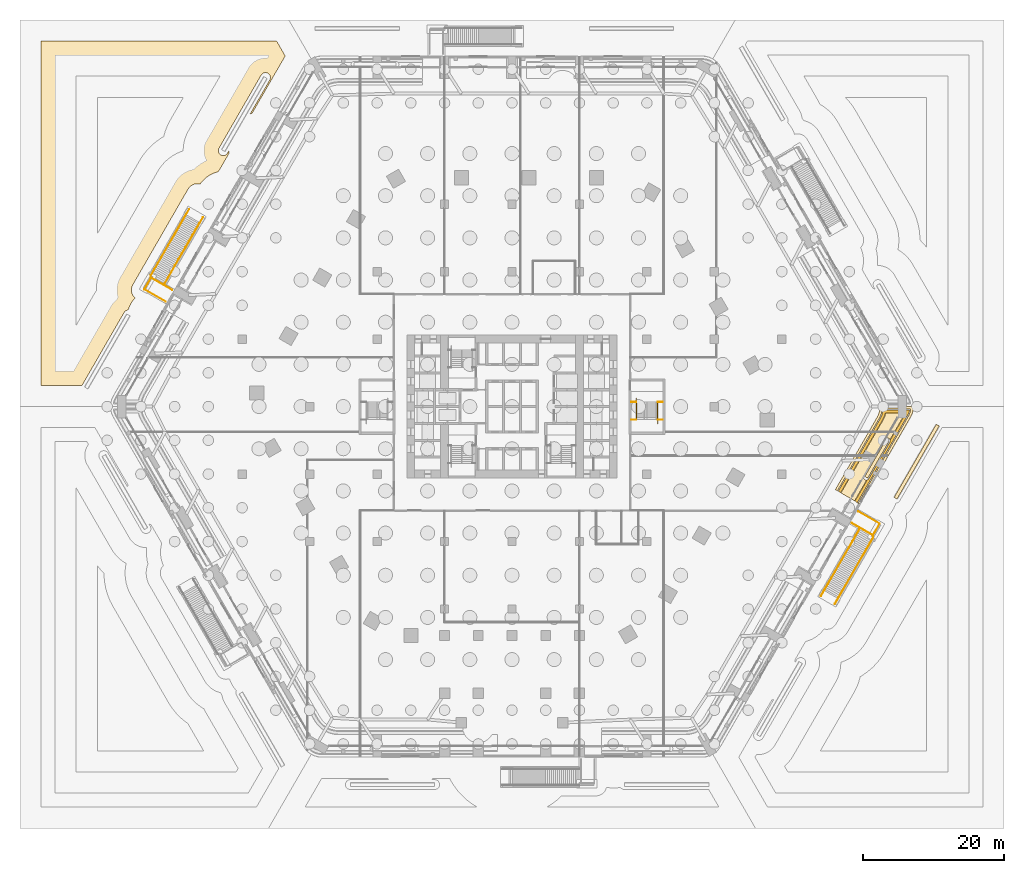
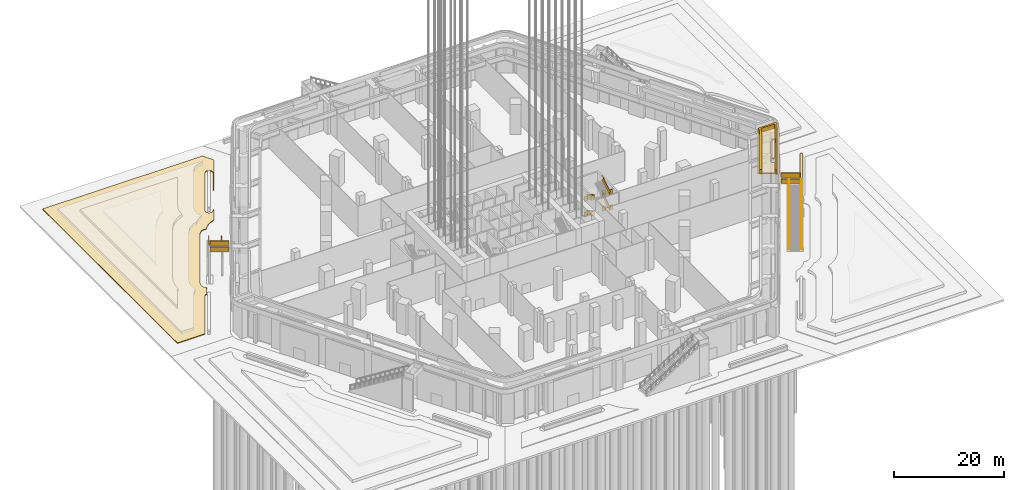
# One storey, part 65 of 68: 8 railings, 6 coverings.
"""IFC4 building model written with IfcOpenShell, lengths in metres."""

from ifc_helpers import new_model, si_unit, direction, frame, frame_2d, origin, origin_2d, place, context, subcontext, project, spatial, polyline, rectangle, circle, outline, extrude, material, layer, layer_set, type_object, element, save


model = new_model("IFC4")

# Units and contexts
model_context = context("Model", 3, precision=1e-05, world=origin(), true_north=direction((0.0, 1.0)))
body_context = subcontext(model_context, "Body", "Model", "MODEL_VIEW")
ifc_project = project(units=[si_unit("LENGTHUNIT", "METRE"), si_unit("AREAUNIT", "SQUARE_METRE"), si_unit("VOLUMEUNIT", "CUBIC_METRE"), si_unit("PLANEANGLEUNIT", "RADIAN"), si_unit("MASSUNIT", "GRAM", prefix="KILO")], contexts=[model_context])

# Site, building, storey
site_placement = place(None, origin())
site = spatial("IfcSite", under=ifc_project, at=site_placement, CompositionType="ELEMENT")
building_placement = place(site_placement, origin())
building = spatial("IfcBuilding", under=site, at=building_placement, Name="Kolab Exchange Tower", CompositionType="ELEMENT")
storey_placement = place(building_placement, origin())
storey = spatial("IfcBuildingStorey", under=building, at=storey_placement, Name="L00", CompositionType="ELEMENT", Elevation=0.0)

# Railings
ifc_material_1 = material(Name="Stainless steel 316", Category="steel")
railing_type_1 = type_object("IfcRailingType", Name="GUARD 1100", PredefinedType="GUARDRAIL", material=ifc_material_1)
railing_1_placement = place(storey_placement, frame((16.949951171875, 0.64990234375, 0.0)))
element("IfcRailing", 1, at=railing_1_placement, inside=storey, type_object=railing_type_1, Name="Guard ST4", PredefinedType="GUARDRAIL", context=body_context, shape_type="SweptSolid", body=[
    extrude(rectangle(XDim=0.05, YDim=0.05, at=origin_2d()), frame((0.0, 0.0, 1.0751953125), z_axis=(1.0, 0.0, 0.0), x_axis=(0.0, 1.0, 0.0)), (0.0, 0.0, 1.0), 0.739990234375),
    extrude(rectangle(XDim=0.012, YDim=1.05009765625, at=frame_2d((0.0, 0.525146484375))), frame((0.0, 0.0, 0.0), z_axis=(1.0, 0.0, 0.0), x_axis=(0.0, 1.0, 0.0)), (0.0, 0.0, 1.0), 0.739990234375),
    extrude(rectangle(XDim=0.05, YDim=0.05, at=origin_2d()), frame((3.760009765625, 0.0, 1.0751953125), z_axis=(1.0, 0.0, 0.0), x_axis=(0.0, 1.0, 0.0)), (0.0, 0.0, 1.0), 0.739990234375),
    extrude(rectangle(XDim=0.012, YDim=1.05009765625, at=frame_2d((0.0, 0.525146484375))), frame((3.760009765625, 0.0, 0.0), z_axis=(1.0, 0.0, 0.0), x_axis=(0.0, 1.0, 0.0)), (0.0, 0.0, 1.0), 0.739990234375),
    extrude(rectangle(XDim=0.05, YDim=0.05, at=origin_2d()), frame((0.0, -2.52001953125, 2.8251953125), z_axis=(1.0, 0.0, 0.0), x_axis=(0.0, 1.0, 0.0)), (0.0, 0.0, 1.0), 0.739990234375),
    extrude(rectangle(XDim=0.012, YDim=1.05009765625, at=frame_2d((0.0, 0.525146484375))), frame((0.0, -2.52001953125, 1.75), z_axis=(1.0, 0.0, 0.0), x_axis=(0.0, 1.0, 0.0)), (0.0, 0.0, 1.0), 0.739990234375),
    extrude(rectangle(XDim=0.05, YDim=0.05, at=origin_2d()), frame((3.760009765625, -2.52001953125, 2.8251953125), z_axis=(1.0, 0.0, 0.0), x_axis=(0.0, 1.0, 0.0)), (0.0, 0.0, 1.0), 0.739990234375),
    extrude(rectangle(XDim=0.012, YDim=1.05009765625, at=frame_2d((0.0, 0.525146484375))), frame((3.760009765625, -2.52001953125, 1.75), z_axis=(1.0, 0.0, 0.0), x_axis=(0.0, 1.0, 0.0)), (0.0, 0.0, 1.0), 0.739990234375),
    extrude(rectangle(XDim=0.05, YDim=0.05, at=origin_2d()), frame((0.0, 0.0, 4.5751953125), z_axis=(1.0, 0.0, 0.0), x_axis=(0.0, 1.0, 0.0)), (0.0, 0.0, 1.0), 0.739990234375),
    extrude(rectangle(XDim=0.012, YDim=1.05009765625, at=frame_2d((0.0, 0.525146484375))), frame((0.0, 0.0, 3.5), z_axis=(1.0, 0.0, 0.0), x_axis=(0.0, 1.0, 0.0)), (0.0, 0.0, 1.0), 0.739990234375),
    extrude(rectangle(XDim=0.05, YDim=0.05, at=origin_2d()), frame((3.760009765625, 0.0, 4.5751953125), z_axis=(1.0, 0.0, 0.0), x_axis=(0.0, 1.0, 0.0)), (0.0, 0.0, 1.0), 0.739990234375),
    extrude(rectangle(XDim=0.012, YDim=1.05009765625, at=frame_2d((0.0, 0.525146484375))), frame((3.760009765625, 0.0, 3.5), z_axis=(1.0, 0.0, 0.0), x_axis=(0.0, 1.0, 0.0)), (0.0, 0.0, 1.0), 0.739990234375),
    extrude(rectangle(XDim=0.05, YDim=0.05, at=origin_2d()), frame((0.0, -2.52001953125, 6.3251953125), z_axis=(1.0, 0.0, 0.0), x_axis=(0.0, 1.0, 0.0)), (0.0, 0.0, 1.0), 0.739990234375),
    extrude(rectangle(XDim=0.012, YDim=1.05009765625, at=frame_2d((0.0, 0.525146484375))), frame((0.0, -2.52001953125, 5.25), z_axis=(1.0, 0.0, 0.0), x_axis=(0.0, 1.0, 0.0)), (0.0, 0.0, 1.0), 0.739990234375),
    extrude(rectangle(XDim=0.05, YDim=0.05, at=origin_2d()), frame((3.760009765625, -2.52001953125, 6.3251953125), z_axis=(1.0, 0.0, 0.0), x_axis=(0.0, 1.0, 0.0)), (0.0, 0.0, 1.0), 0.739990234375),
    extrude(rectangle(XDim=0.012, YDim=1.05009765625, at=frame_2d((0.0, 0.525146484375))), frame((3.760009765625, -2.52001953125, 5.25), z_axis=(1.0, 0.0, 0.0), x_axis=(0.0, 1.0, 0.0)), (0.0, 0.0, 1.0), 0.739990234375),
])
railing_2_placement = place(storey_placement, frame((17.68994140625, 0.64990234375, 0.175048828125)))
element("IfcRailing", 2, at=railing_2_placement, inside=storey, type_object=railing_type_1, Name="Handrail guard ST4", PredefinedType="GUARDRAIL", context=body_context, shape_type="SweptSolid", body=[
    extrude(rectangle(XDim=0.05, YDim=0.05, at=origin_2d()), frame((0.0, 0.0, 1.0751953125), z_axis=(0.0, -0.848007534815, 0.529984170421), x_axis=(1.0, 0.0, 0.0)), (0.0, 0.0, 1.0), 2.9716796875),
    extrude(rectangle(XDim=0.012, YDim=1.05009765625, at=frame_2d((0.0, 0.525146484375))), frame((0.0, 0.0, 0.0), z_axis=(0.0, -0.848007534815, 0.529984170421), x_axis=(1.0, 0.0, 0.0)), (0.0, 0.0, 1.0), 2.9716796875),
    extrude(rectangle(XDim=0.05, YDim=0.05, at=origin_2d()), frame((3.02001953125, -2.52001953125, 2.8251953125), z_axis=(0.0, 0.848007534815, 0.529984170421), x_axis=(-1.0, 0.0, 0.0)), (0.0, 0.0, 1.0), 2.9716796875),
    extrude(rectangle(XDim=0.012, YDim=1.05009765625, at=frame_2d((0.0, 0.525146484375))), frame((3.02001953125, -2.52001953125, 1.75), z_axis=(0.0, 0.848007534815, 0.529984170421), x_axis=(-1.0, 0.0, 0.0)), (0.0, 0.0, 1.0), 2.9716796875),
    extrude(rectangle(XDim=0.05, YDim=0.05, at=origin_2d()), frame((0.0, 0.0, 4.5751953125), z_axis=(0.0, -0.848007534815, 0.529984170421), x_axis=(1.0, 0.0, 0.0)), (0.0, 0.0, 1.0), 2.9716796875),
    extrude(rectangle(XDim=0.012, YDim=1.05009765625, at=frame_2d((0.0, 0.525146484375))), frame((0.0, 0.0, 3.5), z_axis=(0.0, -0.848007534815, 0.529984170421), x_axis=(1.0, 0.0, 0.0)), (0.0, 0.0, 1.0), 2.9716796875),
    extrude(rectangle(XDim=0.05, YDim=0.05, at=origin_2d()), frame((3.02001953125, -2.52001953125, 6.3251953125), z_axis=(0.0, 0.848007534815, 0.529984170421), x_axis=(-1.0, 0.0, 0.0)), (0.0, 0.0, 1.0), 2.9716796875),
    extrude(rectangle(XDim=0.012, YDim=1.05009765625, at=frame_2d((0.0, 0.525146484375))), frame((3.02001953125, -2.52001953125, 5.25), z_axis=(0.0, 0.848007534815, 0.529984170421), x_axis=(-1.0, 0.0, 0.0)), (0.0, 0.0, 1.0), 2.9716796875),
])
ifc_material_2 = material(Name="Steel S235", Category="steel")
railing_type_2 = type_object("IfcRailingType", Name="GUARD 1100 GLASS BALUSTRADE AND STEEL TOP RAIL", PredefinedType="GUARDRAIL", material=ifc_material_2)
railing_3_placement = place(storey_placement, frame((43.95751953125, -26.94921875, 0.175048828125)))
element("IfcRailing", 3, at=railing_3_placement, inside=storey, type_object=railing_type_2, Name="Stair guard", PredefinedType="GUARDRAIL", context=body_context, shape_type="SweptSolid", body=[
    extrude(circle(Radius=0.02490234375, at=origin_2d()), frame((0.0, 0.0, 1.0751953125), z_axis=(0.424002601173, 0.734382970686, 0.530003251466), x_axis=(-0.866022138099, 0.500005656291, 0.0)), (0.0, 0.0, 1.0), 12.877197265625),
    extrude(circle(Radius=0.02001953125, at=origin_2d()), origin(), (0.0, 0.0, 1.0), 1.050048828125),
    extrude(circle(Radius=0.02001953125, at=origin_2d()), frame((0.496337890625, 0.859619140625, 0.620361328125)), (0.0, 0.0, 1.0), 1.050048828125),
    extrude(circle(Radius=0.02001953125, at=origin_2d()), frame((0.99267578125, 1.719482421875, 1.240966796875)), (0.0, 0.0, 1.0), 1.050048828125),
    extrude(circle(Radius=0.02001953125, at=origin_2d()), frame((1.489013671875, 2.5791015625, 1.861328125)), (0.0, 0.0, 1.0), 1.050048828125),
    extrude(circle(Radius=0.02001953125, at=origin_2d()), frame((1.9853515625, 3.438720703125, 2.481689453125)), (0.0, 0.0, 1.0), 1.050048828125),
    extrude(circle(Radius=0.02001953125, at=origin_2d()), frame((2.481689453125, 4.298583984375, 3.102294921875)), (0.0, 0.0, 1.0), 1.050048828125),
    extrude(circle(Radius=0.02001953125, at=origin_2d()), frame((2.978271484375, 5.158203125, 3.72265625)), (0.0, 0.0, 1.0), 1.050048828125),
    extrude(circle(Radius=0.02001953125, at=origin_2d()), frame((3.474609375, 6.01806640625, 4.34326171875)), (0.0, 0.0, 1.0), 1.050048828125),
    extrude(circle(Radius=0.02001953125, at=origin_2d()), frame((3.970947265625, 6.877685546875, 4.963623046875)), (0.0, 0.0, 1.0), 1.050048828125),
    extrude(circle(Radius=0.02001953125, at=origin_2d()), frame((4.46728515625, 7.7373046875, 5.583984375)), (0.0, 0.0, 1.0), 1.050048828125),
    extrude(circle(Radius=0.02001953125, at=origin_2d()), frame((4.963623046875, 8.59716796875, 6.20458984375)), (0.0, 0.0, 1.0), 1.050048828125),
    extrude(circle(Radius=0.02001953125, at=origin_2d()), frame((5.4599609375, 9.456787109375, 6.824951171875)), (0.0, 0.0, 1.0), 1.050048828125),
])
railing_4_placement = place(storey_placement, frame((45.93212890625, -28.08935546875, 0.175048828125)))
element("IfcRailing", 4, at=railing_4_placement, inside=storey, type_object=railing_type_2, Name="Stair guard", PredefinedType="GUARDRAIL", context=body_context, shape_type="SweptSolid", body=[
    extrude(circle(Radius=0.02490234375, at=origin_2d()), frame((0.0, 0.0, 1.0751953125), z_axis=(0.423996697712, 0.73439170464, 0.52999587214), x_axis=(-0.866027727466, 0.499995975244, 0.0)), (0.0, 0.0, 1.0), 12.87744140625),
    extrude(circle(Radius=0.02001953125, at=origin_2d()), origin(), (0.0, 0.0, 1.0), 1.050048828125),
    extrude(circle(Radius=0.02001953125, at=origin_2d()), frame((0.496337890625, 0.859619140625, 0.620361328125)), (0.0, 0.0, 1.0), 1.050048828125),
    extrude(circle(Radius=0.02001953125, at=origin_2d()), frame((0.99267578125, 1.719482421875, 1.240966796875)), (0.0, 0.0, 1.0), 1.050048828125),
    extrude(circle(Radius=0.02001953125, at=origin_2d()), frame((1.489013671875, 2.5791015625, 1.861328125)), (0.0, 0.0, 1.0), 1.050048828125),
    extrude(circle(Radius=0.02001953125, at=origin_2d()), frame((1.9853515625, 3.43896484375, 2.481689453125)), (0.0, 0.0, 1.0), 1.050048828125),
    extrude(circle(Radius=0.02001953125, at=origin_2d()), frame((2.481689453125, 4.298583984375, 3.102294921875)), (0.0, 0.0, 1.0), 1.050048828125),
    extrude(circle(Radius=0.02001953125, at=origin_2d()), frame((2.978271484375, 5.158447265625, 3.72265625)), (0.0, 0.0, 1.0), 1.050048828125),
    extrude(circle(Radius=0.02001953125, at=origin_2d()), frame((3.474609375, 6.01806640625, 4.34326171875)), (0.0, 0.0, 1.0), 1.050048828125),
    extrude(circle(Radius=0.02001953125, at=origin_2d()), frame((3.970947265625, 6.8779296875, 4.963623046875)), (0.0, 0.0, 1.0), 1.050048828125),
    extrude(circle(Radius=0.02001953125, at=origin_2d()), frame((4.46728515625, 7.737548828125, 5.583984375)), (0.0, 0.0, 1.0), 1.050048828125),
    extrude(circle(Radius=0.02001953125, at=origin_2d()), frame((4.963623046875, 8.597412109375, 6.20458984375)), (0.0, 0.0, 1.0), 1.050048828125),
    extrude(circle(Radius=0.02001953125, at=origin_2d()), frame((5.4599609375, 9.45703125, 6.824951171875)), (0.0, 0.0, 1.0), 1.050048828125),
])
railing_5_placement = place(storey_placement, frame((49.271484375, -14.92529296875, 7.0)))
element("IfcRailing", 5, at=railing_5_placement, inside=storey, type_object=railing_type_2, Name="Landing guard", PredefinedType="GUARDRAIL", context=body_context, shape_type="SweptSolid", body=[
    extrude(rectangle(XDim=0.05, YDim=0.05, at=origin_2d()), frame((0.0, 0.0, 1.0751953125), z_axis=(0.866019471182, -0.500010275428, 0.0), x_axis=(0.500010275428, 0.866019471182, 0.0)), (0.0, 0.0, 1.0), 3.5),
    extrude(rectangle(XDim=0.012, YDim=1.05009765625, at=frame_2d((0.0, 0.525146484375))), frame((0.0, 0.0, 0.0), z_axis=(0.866019471182, -0.500010275428, 0.0), x_axis=(0.500010275428, 0.866019471182, 0.0)), (0.0, 0.0, 1.0), 3.5),
    extrude(rectangle(XDim=0.05, YDim=0.05, at=origin_2d()), frame((3.031005859375, -1.75, 1.0751953125), z_axis=(-0.499929534118, -0.866066083458, 0.0), x_axis=(0.866066083458, -0.499929534118, 0.0)), (0.0, 0.0, 1.0), 1.905029296875),
    extrude(rectangle(XDim=0.012, YDim=1.05009765625, at=frame_2d((0.0, 0.525146484375))), frame((3.031005859375, -1.75, 0.0), z_axis=(-0.499929534118, -0.866066083458, 0.0), x_axis=(0.866066083458, -0.499929534118, 0.0)), (0.0, 0.0, 1.0), 1.905029296875),
    extrude(rectangle(XDim=0.05, YDim=0.05, at=origin_2d()), frame((2.07861328125, -3.39990234375, 1.0751953125), z_axis=(-0.866019471182, 0.500010275428, 0.0), x_axis=(-0.500010275428, -0.866019471182, 0.0)), (0.0, 0.0, 1.0), 3.5),
    extrude(rectangle(XDim=0.012, YDim=1.05009765625, at=frame_2d((0.0, 0.525146484375))), frame((2.07861328125, -3.39990234375, 0.0), z_axis=(-0.866019471182, 0.500010275428, 0.0), x_axis=(-0.500010275428, -0.866019471182, 0.0)), (0.0, 0.0, 1.0), 3.5),
])
railing_6_placement = place(storey_placement, frame((-43.95751953125, 26.94921875, 0.175048828125)))
element("IfcRailing", 6, at=railing_6_placement, inside=storey, type_object=railing_type_2, Name="Stair guard", PredefinedType="GUARDRAIL", context=body_context, shape_type="SweptSolid", body=[
    extrude(circle(Radius=0.02490234375, at=origin_2d()), frame((0.0, 0.0, 1.0751953125), z_axis=(-0.424002601173, -0.734382970686, 0.530003251466), x_axis=(0.866022138099, -0.500005656291, 0.0)), (0.0, 0.0, 1.0), 12.877197265625),
    extrude(circle(Radius=0.02001953125, at=origin_2d()), origin(), (0.0, 0.0, 1.0), 1.050048828125),
    extrude(circle(Radius=0.02001953125, at=origin_2d()), frame((-0.496337890625, -0.859619140625, 0.620361328125)), (0.0, 0.0, 1.0), 1.050048828125),
    extrude(circle(Radius=0.02001953125, at=origin_2d()), frame((-0.99267578125, -1.719482421875, 1.240966796875)), (0.0, 0.0, 1.0), 1.050048828125),
    extrude(circle(Radius=0.02001953125, at=origin_2d()), frame((-1.489013671875, -2.5791015625, 1.861328125)), (0.0, 0.0, 1.0), 1.050048828125),
    extrude(circle(Radius=0.02001953125, at=origin_2d()), frame((-1.9853515625, -3.438720703125, 2.481689453125)), (0.0, 0.0, 1.0), 1.050048828125),
    extrude(circle(Radius=0.02001953125, at=origin_2d()), frame((-2.481689453125, -4.298583984375, 3.102294921875)), (0.0, 0.0, 1.0), 1.050048828125),
    extrude(circle(Radius=0.02001953125, at=origin_2d()), frame((-2.978271484375, -5.158203125, 3.72265625)), (0.0, 0.0, 1.0), 1.050048828125),
    extrude(circle(Radius=0.02001953125, at=origin_2d()), frame((-3.474609375, -6.01806640625, 4.34326171875)), (0.0, 0.0, 1.0), 1.050048828125),
    extrude(circle(Radius=0.02001953125, at=origin_2d()), frame((-3.970947265625, -6.877685546875, 4.963623046875)), (0.0, 0.0, 1.0), 1.050048828125),
    extrude(circle(Radius=0.02001953125, at=origin_2d()), frame((-4.46728515625, -7.7373046875, 5.583984375)), (0.0, 0.0, 1.0), 1.050048828125),
    extrude(circle(Radius=0.02001953125, at=origin_2d()), frame((-4.963623046875, -8.59716796875, 6.20458984375)), (0.0, 0.0, 1.0), 1.050048828125),
    extrude(circle(Radius=0.02001953125, at=origin_2d()), frame((-5.4599609375, -9.456787109375, 6.824951171875)), (0.0, 0.0, 1.0), 1.050048828125),
])
railing_7_placement = place(storey_placement, frame((-45.93212890625, 28.08935546875, 0.175048828125)))
element("IfcRailing", 7, at=railing_7_placement, inside=storey, type_object=railing_type_2, Name="Stair guard", PredefinedType="GUARDRAIL", context=body_context, shape_type="SweptSolid", body=[
    extrude(circle(Radius=0.02490234375, at=origin_2d()), frame((0.0, 0.0, 1.0751953125), z_axis=(-0.423996697712, -0.73439170464, 0.52999587214), x_axis=(0.866027727466, -0.499995975244, 0.0)), (0.0, 0.0, 1.0), 12.87744140625),
    extrude(circle(Radius=0.02001953125, at=origin_2d()), origin(), (0.0, 0.0, 1.0), 1.050048828125),
    extrude(circle(Radius=0.02001953125, at=origin_2d()), frame((-0.496337890625, -0.859619140625, 0.620361328125)), (0.0, 0.0, 1.0), 1.050048828125),
    extrude(circle(Radius=0.02001953125, at=origin_2d()), frame((-0.99267578125, -1.719482421875, 1.240966796875)), (0.0, 0.0, 1.0), 1.050048828125),
    extrude(circle(Radius=0.02001953125, at=origin_2d()), frame((-1.489013671875, -2.5791015625, 1.861328125)), (0.0, 0.0, 1.0), 1.050048828125),
    extrude(circle(Radius=0.02001953125, at=origin_2d()), frame((-1.9853515625, -3.43896484375, 2.481689453125)), (0.0, 0.0, 1.0), 1.050048828125),
    extrude(circle(Radius=0.02001953125, at=origin_2d()), frame((-2.481689453125, -4.298583984375, 3.102294921875)), (0.0, 0.0, 1.0), 1.050048828125),
    extrude(circle(Radius=0.02001953125, at=origin_2d()), frame((-2.978271484375, -5.158447265625, 3.72265625)), (0.0, 0.0, 1.0), 1.050048828125),
    extrude(circle(Radius=0.02001953125, at=origin_2d()), frame((-3.474609375, -6.01806640625, 4.34326171875)), (0.0, 0.0, 1.0), 1.050048828125),
    extrude(circle(Radius=0.02001953125, at=origin_2d()), frame((-3.970947265625, -6.8779296875, 4.963623046875)), (0.0, 0.0, 1.0), 1.050048828125),
    extrude(circle(Radius=0.02001953125, at=origin_2d()), frame((-4.46728515625, -7.737548828125, 5.583984375)), (0.0, 0.0, 1.0), 1.050048828125),
    extrude(circle(Radius=0.02001953125, at=origin_2d()), frame((-4.963623046875, -8.597412109375, 6.20458984375)), (0.0, 0.0, 1.0), 1.050048828125),
    extrude(circle(Radius=0.02001953125, at=origin_2d()), frame((-5.4599609375, -9.45703125, 6.824951171875)), (0.0, 0.0, 1.0), 1.050048828125),
])
railing_8_placement = place(storey_placement, frame((-49.271484375, 14.92529296875, 7.0)))
element("IfcRailing", 8, at=railing_8_placement, inside=storey, type_object=railing_type_2, Name="Landing guard", PredefinedType="GUARDRAIL", context=body_context, shape_type="SweptSolid", body=[
    extrude(rectangle(XDim=0.05, YDim=0.05, at=origin_2d()), frame((0.0, 0.0, 1.0751953125), z_axis=(-0.866019471182, 0.500010275428, 0.0), x_axis=(-0.500010275428, -0.866019471182, 0.0)), (0.0, 0.0, 1.0), 3.5),
    extrude(rectangle(XDim=0.012, YDim=1.05009765625, at=frame_2d((0.0, 0.525146484375))), frame((0.0, 0.0, 0.0), z_axis=(-0.866019471182, 0.500010275428, 0.0), x_axis=(-0.500010275428, -0.866019471182, 0.0)), (0.0, 0.0, 1.0), 3.5),
    extrude(rectangle(XDim=0.05, YDim=0.05, at=origin_2d()), frame((-3.031005859375, 1.75, 1.0751953125), z_axis=(0.499929534118, 0.866066083458, 0.0), x_axis=(-0.866066083458, 0.499929534118, 0.0)), (0.0, 0.0, 1.0), 1.905029296875),
    extrude(rectangle(XDim=0.012, YDim=1.05009765625, at=frame_2d((0.0, 0.525146484375))), frame((-3.031005859375, 1.75, 0.0), z_axis=(0.499929534118, 0.866066083458, 0.0), x_axis=(-0.866066083458, 0.499929534118, 0.0)), (0.0, 0.0, 1.0), 1.905029296875),
    extrude(rectangle(XDim=0.05, YDim=0.05, at=origin_2d()), frame((-2.07861328125, 3.39990234375, 1.0751953125), z_axis=(0.866019471182, -0.500010275428, 0.0), x_axis=(0.500010275428, 0.866019471182, 0.0)), (0.0, 0.0, 1.0), 3.5),
    extrude(rectangle(XDim=0.012, YDim=1.05009765625, at=frame_2d((0.0, 0.525146484375))), frame((-2.07861328125, 3.39990234375, 0.0), z_axis=(0.866019471182, -0.500010275428, 0.0), x_axis=(0.500010275428, 0.866019471182, 0.0)), (0.0, 0.0, 1.0), 3.5),
])

# Coverings
ifc_material_3 = material(Name="Planting soil and turf", Category="soil")
ifc_layer_1 = layer(ifc_material_3, 0.25)
ifc_layer_set_1 = layer_set([ifc_layer_1], Name="Planting soil and turf")
covering_type_1 = type_object("IfcCoveringType", Name="PLANTING SOIL AND TURF 250", PredefinedType="USERDEFINED", material=ifc_layer_set_1)
covering_1_placement = place(storey_placement, frame((0.0, 0.0, 7.0)))
element("IfcCovering", 9, at=covering_1_placement, inside=storey, type_object=covering_type_1, Name="Planting soil and turf", ObjectType="PLANTING", PredefinedType="USERDEFINED", context=body_context, shape_type="SweptSolid", body=[
    extrude(outline(polyline([(52.77734375, -1.93896484375), (53.051025390625, -1.352294921875), (53.158935546875, -0.949951171875), (55.942138671875, -0.949951171875), (55.890625, -1.06103515625), (53.77783203125, -4.720458984375), (53.763916015625, -4.688720703125), (53.744873046875, -4.654296875), (53.72265625, -4.6220703125), (53.697265625, -4.592041015625), (53.6689453125, -4.564697265625), (53.63818359375, -4.54052734375), (53.605224609375, -4.51904296875), (53.5703125, -4.501220703125), (53.53369140625, -4.48681640625), (53.49609375, -4.47607421875), (53.45751953125, -4.468994140625), (53.418212890625, -4.4658203125), (53.379150390625, -4.46630859375), (53.340087890625, -4.470947265625), (53.3017578125, -4.479248046875), (53.264404296875, -4.4912109375), (53.228271484375, -4.5068359375), (53.194091796875, -4.52587890625), (53.16162109375, -4.548095703125), (53.1318359375, -4.573486328125), (53.1044921875, -4.601806640625), (53.080078125, -4.632568359375), (53.058837890625, -4.66552734375), (50.058837890625, -9.86181640625), (50.040771484375, -9.896728515625), (50.0263671875, -9.93310546875), (50.015625, -9.970947265625), (50.008544921875, -10.009521484375), (50.00537109375, -10.048583984375), (50.006103515625, -10.087890625), (50.010498046875, -10.126953125), (50.018798828125, -10.165283203125), (50.03076171875, -10.20263671875), (50.04638671875, -10.238525390625), (50.0654296875, -10.27294921875), (50.087890625, -10.30517578125), (50.11328125, -10.335205078125), (50.1416015625, -10.362548828125), (50.172119140625, -10.386962890625), (50.205322265625, -10.408203125), (50.240234375, -10.426025390625), (50.276611328125, -10.4404296875), (50.314453125, -10.451171875), (50.35302734375, -10.458251953125), (50.39208984375, -10.46142578125), (50.431396484375, -10.4609375), (50.4658203125, -10.456787109375), (48.75732421875, -13.416015625), (46.802734375, -12.28759765625), (52.77734375, -1.93896484375)])), origin(), (0.0, 0.0, 1.0), 0.25),
])
covering_2_placement = place(storey_placement, frame((0.0, 0.0, 7.699951171875)))
element("IfcCovering", 10, at=covering_2_placement, inside=storey, type_object=covering_type_1, Name="Planting soil and turf", ObjectType="PLANTING", PredefinedType="USERDEFINED", context=body_context, shape_type="SweptSolid", body=[
    extrude(outline(polyline([(50.612548828125, -10.181396484375), (50.197021484375, -9.94140625), (53.197021484375, -4.745361328125), (53.612548828125, -4.9853515625), (50.612548828125, -10.181396484375)])), origin(), (0.0, 0.0, 1.0), 0.300048828125),
])
covering_3_placement = place(storey_placement, frame((0.0, 0.0, 0.699951171875)))
element("IfcCovering", 11, at=covering_3_placement, inside=storey, type_object=covering_type_1, Name="Planting soil and turf", ObjectType="PLANTING", PredefinedType="USERDEFINED", context=body_context, shape_type="SweptSolid", body=[
    extrude(outline(polyline([(54.785400390625, -13.155029296875), (54.36962890625, -12.9150390625), (60.36962890625, -2.522705078125), (60.785400390625, -2.762939453125), (54.785400390625, -13.155029296875)])), origin(), (0.0, 0.0, 1.0), 0.300048828125),
])
covering_4_placement = place(storey_placement, origin())
element("IfcCovering", 12, at=covering_4_placement, inside=storey, type_object=covering_type_1, Name="Planting soil and turf", ObjectType="PLANTING", PredefinedType="USERDEFINED", context=body_context, shape_type="SweptSolid", body=[
    extrude(outline(polyline([(-67.0, 52.0), (-33.486328125, 52.0), (-32.26416015625, 49.883056640625), (-36.970703125, 41.73095703125), (-37.2197265625, 41.66845703125), (-37.242431640625, 41.660400390625), (-34.47119140625, 46.460205078125), (-34.43994140625, 46.521240234375), (-34.41455078125, 46.585205078125), (-34.395751953125, 46.651123046875), (-34.383544921875, 46.71875), (-34.3779296875, 46.787109375), (-34.37890625, 46.85595703125), (-34.386962890625, 46.924072265625), (-34.4013671875, 46.9912109375), (-34.42236328125, 47.056640625), (-34.44970703125, 47.11962890625), (-34.483154296875, 47.1796875), (-34.522216796875, 47.236328125), (-34.566650390625, 47.28857421875), (-34.615966796875, 47.33642578125), (-34.669677734375, 47.379150390625), (-34.7275390625, 47.416259765625), (-34.78857421875, 47.44775390625), (-34.8525390625, 47.472900390625), (-34.91845703125, 47.491943359375), (-34.986083984375, 47.504150390625), (-35.0546875, 47.509765625), (-35.123291015625, 47.508544921875), (-35.19140625, 47.500732421875), (-35.2587890625, 47.486328125), (-35.323974609375, 47.46533203125), (-35.38720703125, 47.43798828125), (-35.447265625, 47.404541015625), (-35.503662109375, 47.365478515625), (-35.555908203125, 47.321044921875), (-35.603759765625, 47.271728515625), (-35.646484375, 47.2177734375), (-35.683837890625, 47.16015625), (-41.683837890625, 36.767822265625), (-41.715087890625, 36.706787109375), (-41.740234375, 36.642822265625), (-41.75927734375, 36.57666015625), (-41.771484375, 36.50927734375), (-41.777099609375, 36.440673828125), (-41.77587890625, 36.3720703125), (-41.76806640625, 36.3037109375), (-41.753662109375, 36.236572265625), (-41.732666015625, 36.171142578125), (-41.705322265625, 36.108154296875), (-41.671875, 36.048095703125), (-41.6328125, 35.99169921875), (-41.58837890625, 35.939208984375), (-41.5390625, 35.8916015625), (-41.4853515625, 35.848876953125), (-41.427490234375, 35.8115234375), (-41.366455078125, 35.7802734375), (-41.302490234375, 35.7548828125), (-41.236572265625, 35.736083984375), (-41.1689453125, 35.723876953125), (-41.100341796875, 35.71826171875), (-41.03173828125, 35.71923828125), (-40.96337890625, 35.72705078125), (-40.896240234375, 35.74169921875), (-40.830810546875, 35.7626953125), (-40.767822265625, 35.7900390625), (-40.707763671875, 35.823486328125), (-40.6513671875, 35.862548828125), (-40.598876953125, 35.906982421875), (-40.55126953125, 35.956298828125), (-40.508544921875, 36.010009765625), (-40.47119140625, 36.06787109375), (-40.2978515625, 36.3681640625), (-40.22802734375, 36.08935546875), (-41.770751953125, 33.4169921875), (-42.019775390625, 33.354736328125), (-42.435546875, 33.205810546875), (-42.834716796875, 33.01708984375), (-43.21337890625, 32.7900390625), (-43.568115234375, 32.527099609375), (-43.895263671875, 32.23046875), (-44.19189453125, 31.9033203125), (-44.3857421875, 31.64208984375), (-44.443603515625, 31.65869140625), (-44.58837890625, 31.68505859375), (-44.735107421875, 31.697021484375), (-44.88232421875, 31.694580078125), (-45.028564453125, 31.677734375), (-45.17236328125, 31.646728515625), (-45.3125, 31.6015625), (-45.447509765625, 31.543212890625), (-45.576171875, 31.4716796875), (-45.697265625, 31.3876953125), (-45.8095703125, 31.29248046875), (-45.911865234375, 31.186767578125), (-46.00341796875, 31.071533203125), (-46.083251953125, 30.94775390625), (-47.283203125, 28.869384765625), (-52.7431640625, 19.412353515625), (-52.7431640625, 19.412353515625), (-53.943115234375, 17.333984375), (-54.010498046875, 17.202880859375), (-54.064453125, 17.06591796875), (-54.10498046875, 16.924560546875), (-54.13134765625, 16.779541015625), (-54.143310546875, 16.633056640625), (-54.140869140625, 16.48583984375), (-54.1240234375, 16.339599609375), (-54.093017578125, 16.195556640625), (-54.0478515625, 16.055419921875), (-53.989501953125, 15.92041015625), (-53.91796875, 15.791748046875), (-53.834228515625, 15.670654296875), (-53.739013671875, 15.55859375), (-53.633056640625, 15.4560546875), (-53.63037109375, 15.453857421875), (-53.7919921875, 15.275634765625), (-54.054931640625, 14.9208984375), (-54.281982421875, 14.5419921875), (-54.470947265625, 14.142822265625), (-54.6171875, 13.733642578125), (-54.623291015625, 13.733642578125), (-54.69140625, 13.725830078125), (-54.7587890625, 13.711181640625), (-54.823974609375, 13.690185546875), (-54.88720703125, 13.662841796875), (-54.947265625, 13.629638671875), (-55.003662109375, 13.590576171875), (-55.055908203125, 13.546142578125), (-55.103759765625, 13.49658203125), (-55.146484375, 13.44287109375), (-55.183837890625, 13.385009765625), (-61.1796875, 3.0), (-67.0, 3.0), (-67.0, 52.0)])), origin(), (0.0, 0.0, 1.0), 0.14990234375),
])
ifc_material_4 = material(Name="Limestone coping", Category="masonry")
ifc_layer_2 = layer(ifc_material_4, 0.050048828125)
ifc_layer_set_2 = layer_set([ifc_layer_2], Name="Limestone coping")
covering_type_2 = type_object("IfcCoveringType", Name="TERRACE EDGE BAND LIMESTONE 50", PredefinedType="CLADDING", material=ifc_layer_set_2)
covering_5_placement = place(storey_placement, frame((0.0, 0.0, 7.0)))
element("IfcCovering", 13, at=covering_5_placement, inside=storey, type_object=covering_type_2, Name="Terrace edge band", PredefinedType="CLADDING", context=body_context, shape_type="SweptSolid", body=[
    extrude(outline(polyline([(51.95166015625, -1.50927734375), (52.173828125, -1.032958984375), (52.31005859375, -0.5244140625), (52.354248046875, -0.02001953125), (57.114013671875, -0.02001953125), (57.070556640625, -0.517578125), (56.93603515625, -1.019287109375), (56.71630859375, -1.49072265625), (49.562255859375, -13.8818359375), (49.51025390625, -13.855224609375), (49.437255859375, -13.826416015625), (49.361572265625, -13.8046875), (49.284423828125, -13.790771484375), (49.214111328125, -13.784912109375), (56.405517578125, -1.3291015625), (56.60595703125, -0.89892578125), (56.724609375, -0.45654296875), (56.732177734375, -0.3701171875), (52.675048828125, -0.3701171875), (52.656005859375, -0.58544921875), (52.50390625, -1.153076171875), (52.262451171875, -1.6708984375), (46.300537109375, -11.99755859375), (45.997314453125, -11.822509765625), (51.95166015625, -1.50927734375)])), origin(), (0.0, 0.0, 1.0), 0.050048828125),
])
ifc_material_5 = material(Name="Terrace hedge planting", Category="soil")
ifc_layer_3 = layer(ifc_material_5, 1.0)
ifc_layer_set_3 = layer_set([ifc_layer_3], Name="Terrace hedge planting")
covering_type_3 = type_object("IfcCoveringType", Name="TERRACE HEDGE 1000 X 400", PredefinedType="USERDEFINED", material=ifc_layer_set_3)
covering_6_placement = place(storey_placement, frame((0.0, 0.0, 7.0)))
element("IfcCovering", 14, at=covering_6_placement, inside=storey, type_object=covering_type_3, Name="Terrace hedge", ObjectType="PLANTING", PredefinedType="USERDEFINED", context=body_context, shape_type="SweptSolid", body=[
    extrude(outline(polyline([(52.3779296875, -1.731201171875), (52.626708984375, -1.19775390625), (52.78466796875, -0.608154296875), (52.7939453125, -0.5), (56.578369140625, -0.5), (56.4833984375, -0.8544921875), (56.2900390625, -1.268798828125), (49.1044921875, -13.714599609375), (49.072509765625, -13.66845703125), (49.021728515625, -13.608642578125), (48.96533203125, -13.553955078125), (48.90380859375, -13.505126953125), (48.837890625, -13.462646484375), (48.800537109375, -13.441162109375), (50.533203125, -10.440185546875), (50.546142578125, -10.43603515625), (50.58203125, -10.42041015625), (50.616455078125, -10.4013671875), (50.648681640625, -10.379150390625), (50.6787109375, -10.353759765625), (50.7060546875, -10.325439453125), (50.73046875, -10.294677734375), (50.751708984375, -10.26171875), (53.751708984375, -5.065673828125), (53.76953125, -5.030517578125), (53.783935546875, -4.994140625), (53.794677734375, -4.956298828125), (53.8017578125, -4.917724609375), (53.804931640625, -4.878662109375), (53.804443359375, -4.83935546875), (53.7998046875, -4.80029296875), (53.796875, -4.787109375), (55.934814453125, -1.083984375), (56.020751953125, -0.89990234375), (53.12060546875, -0.89990234375), (53.00390625, -1.3349609375), (52.733154296875, -1.916015625), (46.759521484375, -12.2626953125), (46.4130859375, -12.0625), (52.3779296875, -1.731201171875)])), origin(), (0.0, 0.0, 1.0), 1.0),
])

save(model, "model.ifc")
